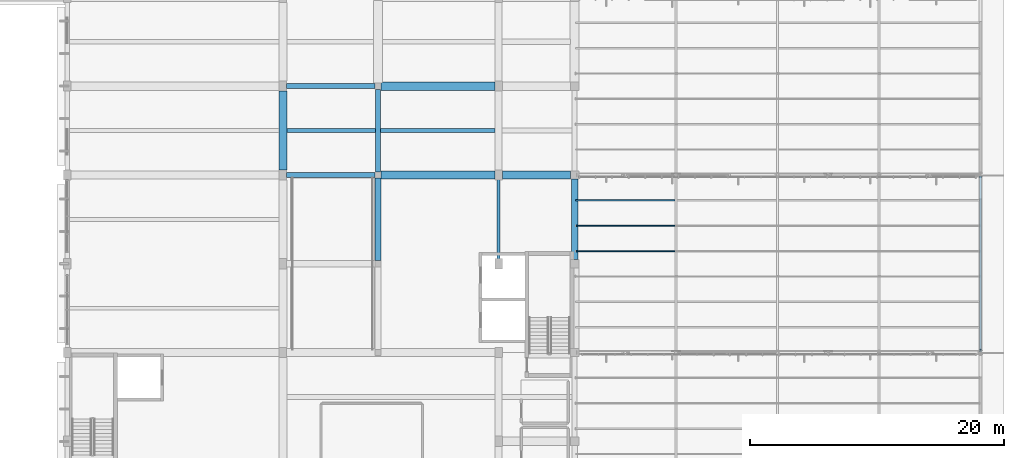
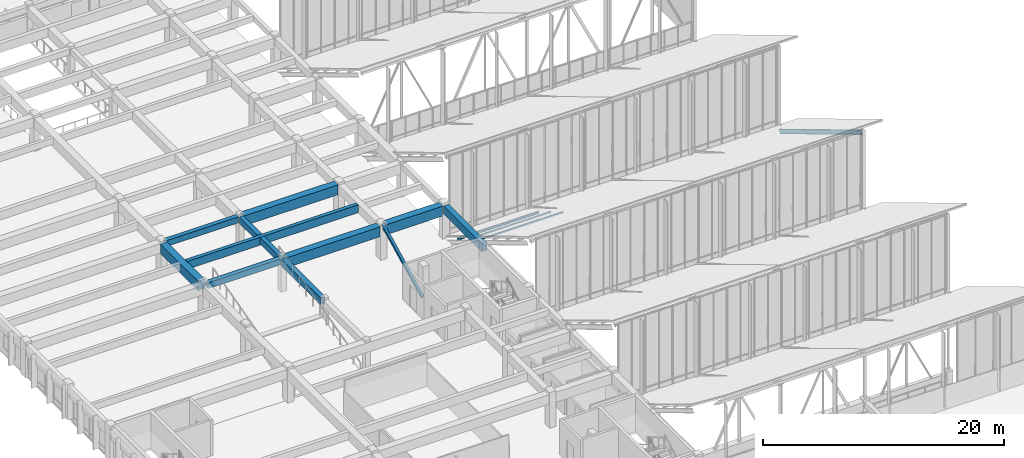
# One storey, part 49 of 155: 11 beams, 4 members.
"""IFC4 building model written with IfcOpenShell, lengths in metres."""

from ifc_helpers import new_model, si_unit, direction, frame, origin, origin_2d, place, context, subcontext, project, spatial, rectangle, hollow_rectangle, i_section, extrude, material, material_profile, profile_set, type_object, element, save


model = new_model("IFC4")

# Units and contexts
model_context = context("Model", 3, precision=1e-05, world=origin(), true_north=direction((0.0, 1.0)))
body_context = subcontext(model_context, "Body", "Model", "MODEL_VIEW")
ifc_project = project(units=[si_unit("LENGTHUNIT", "METRE"), si_unit("AREAUNIT", "SQUARE_METRE"), si_unit("VOLUMEUNIT", "CUBIC_METRE"), si_unit("PLANEANGLEUNIT", "RADIAN"), si_unit("MASSUNIT", "GRAM", prefix="KILO")], contexts=[model_context])

# Site, building, storey
site_placement = place(None, origin())
site = spatial("IfcSite", under=ifc_project, at=site_placement, CompositionType="ELEMENT")
building_placement = place(site_placement, origin())
building = spatial("IfcBuilding", under=site, at=building_placement, Name="Larkveld Mobility Hub", CompositionType="ELEMENT")
storey_placement = place(building_placement, frame((0.0, 0.0, 8.39990234375)))
storey = spatial("IfcBuildingStorey", under=building, at=storey_placement, Name="L02", CompositionType="ELEMENT", Elevation=8.39990234375)

# Beams
ifc_material_1 = material(Name="Precast concrete C50/60", Category="concrete")
ifc_material_profile_1 = material_profile(ifc_material_1, rectangle(XDim=0.340087890625, YDim=0.800048828125, at=origin_2d()), Name="PC DT 340x800")
ifc_profile_set_1 = profile_set([ifc_material_profile_1], Name="Precast concrete C50/60")
beam_type_1 = type_object("IfcBeamType", Name="BM-DT3480", PredefinedType="T_BEAM", material=ifc_profile_set_1)
beam_1_placement = place(storey_placement, frame((129.320068359375, 73.5, 2.97021484375), z_axis=(1.0, 0.0, 0.0), x_axis=(0.0, 1.0, 0.0)))
element("IfcBeam", 1, at=beam_1_placement, inside=storey, type_object=beam_type_1, Name="Precast Double-Tee Stem L02-1092", PredefinedType="T_BEAM", context=body_context, shape_type="SweptSolid", body=[
    extrude(rectangle(XDim=0.340087890625, YDim=0.800048828125, at=origin_2d()), origin(), (0.0, 0.0, 1.0), 16.409912109375),
])
ifc_material_profile_2 = material_profile(ifc_material_1, rectangle(XDim=0.64990234375, YDim=0.949951171875, at=origin_2d()), Name="PC ITB 650x950")
ifc_profile_set_2 = profile_set([ifc_material_profile_2], Name="Precast concrete C50/60")
beam_type_2 = type_object("IfcBeamType", Name="BM-ITB6595", PredefinedType="T_BEAM", material=ifc_profile_set_2)
beam_2_placement = place(storey_placement, frame((129.0, 70.39990234375, 2.885009765625), z_axis=(0.0, 1.0, 0.0), x_axis=(-1.0, 0.0, 0.0)))
element("IfcBeam", 2, at=beam_2_placement, inside=storey, type_object=beam_type_2, Name="Primary N-S Girder L02-0647", PredefinedType="T_BEAM", context=body_context, shape_type="SweptSolid", body=[
    extrude(rectangle(XDim=0.64990234375, YDim=0.949951171875, at=origin_2d()), origin(), (0.0, 0.0, 1.0), 6.2001953125),
])
ifc_material_2 = material(Name="Concrete C40/50", Category="concrete")
ifc_material_profile_3 = material_profile(ifc_material_2, rectangle(XDim=0.39990234375, YDim=0.60009765625, at=origin_2d()), Name="RC BM 400x600")
ifc_profile_set_3 = profile_set([ifc_material_profile_3], Name="Concrete C40/50")
beam_type_3 = type_object("IfcBeamType", Name="BM-RC4060", PredefinedType="BEAM", material=ifc_profile_set_3)
for number, where, z_axis, x_axis, name in (
    (3, (129.300048828125, 70.0, 3.06005859375), (1.0, 0.0, 0.0), (0.0, 1.0, 0.0), "Primary E-W Girder L02-0519"),
    (4, (129.300048828125, 77.0, 3.06005859375), (1.0, 0.0, 0.0), (0.0, 1.0, 0.0), "Primary E-W Girder L02-0523"),
):
    element("IfcBeam", number, at=place(storey_placement, frame(where, z_axis=z_axis, x_axis=x_axis)), inside=storey, type_object=beam_type_3, Name=name, PredefinedType="BEAM", context=body_context, shape_type="SweptSolid", body=[
        extrude(rectangle(XDim=0.39990234375, YDim=0.60009765625, at=origin_2d()), origin(), (0.0, 0.0, 1.0), 6.949951171875),
    ])
ifc_material_profile_4 = material_profile(ifc_material_2, rectangle(XDim=0.39990234375, YDim=0.64990234375, at=origin_2d()), Name="RC BM 400x650")
ifc_profile_set_4 = profile_set([ifc_material_profile_4], Name="Concrete C40/50")
beam_type_4 = type_object("IfcBeamType", Name="BM-RC4065", PredefinedType="BEAM", material=ifc_profile_set_4)
beam_3_placement = place(storey_placement, frame((136.5, 70.25, 3.03515625), z_axis=(0.0, 1.0, 0.0), x_axis=(-1.0, 0.0, 0.0)))
element("IfcBeam", 5, at=beam_3_placement, inside=storey, type_object=beam_type_4, Name="Primary N-S Girder L02-0655", PredefinedType="BEAM", context=body_context, shape_type="SweptSolid", body=[
    extrude(rectangle(XDim=0.39990234375, YDim=0.64990234375, at=origin_2d()), origin(), (0.0, 0.0, 1.0), 6.5),
])
ifc_material_profile_5 = material_profile(ifc_material_2, rectangle(XDim=0.449951171875, YDim=0.699951171875, at=origin_2d()), Name="RC BM 450x700")
ifc_profile_set_5 = profile_set([ifc_material_profile_5], Name="Concrete C40/50")
beam_type_5 = type_object("IfcBeamType", Name="BM-RC4570", PredefinedType="BEAM", material=ifc_profile_set_5)
beam_4_placement = place(storey_placement, frame((136.5, 63.25, 3.010009765625), z_axis=(0.0, 1.0, 0.0), x_axis=(-1.0, 0.0, 0.0)))
element("IfcBeam", 6, at=beam_4_placement, inside=storey, type_object=beam_type_5, Name="Ramp Edge Girder L02-0691", PredefinedType="BEAM", context=body_context, shape_type="SweptSolid", body=[
    extrude(rectangle(XDim=0.449951171875, YDim=0.699951171875, at=origin_2d()), origin(), (0.0, 0.0, 1.0), 6.5),
])
ifc_material_profile_6 = material_profile(ifc_material_2, rectangle(XDim=0.5, YDim=0.800048828125, at=origin_2d()), Name="RC BM 500x800")
ifc_profile_set_6 = profile_set([ifc_material_profile_6], Name="Concrete C40/50")
beam_type_6 = type_object("IfcBeamType", Name="BM-RC5080", PredefinedType="BEAM", material=ifc_profile_set_6)
beam_5_placement = place(storey_placement, frame((152.0, 63.324951171875, 2.960205078125), z_axis=(0.0, 1.0, 0.0), x_axis=(-1.0, 0.0, 0.0)))
element("IfcBeam", 7, at=beam_5_placement, inside=storey, type_object=beam_type_6, Name="Primary N-S Girder L02-0679", PredefinedType="BEAM", context=body_context, shape_type="SweptSolid", body=[
    extrude(rectangle(XDim=0.5, YDim=0.800048828125, at=origin_2d()), origin(), (0.0, 0.0, 1.0), 6.35009765625),
])
ifc_material_profile_7 = material_profile(ifc_material_2, rectangle(XDim=0.64990234375, YDim=1.0, at=origin_2d()), Name="RC BM 650x1000")
ifc_profile_set_7 = profile_set([ifc_material_profile_7], Name="Concrete C40/50")
beam_type_7 = type_object("IfcBeamType", Name="BM-RC65100", PredefinedType="BEAM", material=ifc_profile_set_7)
beam_6_placement = place(storey_placement, frame((136.75, 70.0, 2.860107421875), z_axis=(1.0, 0.0, 0.0), x_axis=(0.0, 1.0, 0.0)))
element("IfcBeam", 8, at=beam_6_placement, inside=storey, type_object=beam_type_7, Name="Primary E-W Girder L02-0520", PredefinedType="BEAM", context=body_context, shape_type="SweptSolid", body=[
    extrude(rectangle(XDim=0.64990234375, YDim=1.0, at=origin_2d()), origin(), (0.0, 0.0, 1.0), 8.949951171875),
])
beam_7_placement = place(storey_placement, frame((146.300048828125, 70.0, 2.860107421875), z_axis=(1.0, 0.0, 0.0), x_axis=(0.0, 1.0, 0.0)))
element("IfcBeam", 9, at=beam_7_placement, inside=storey, type_object=beam_type_7, Name="Primary E-W Girder L02-0521", PredefinedType="BEAM", context=body_context, shape_type="SweptSolid", body=[
    extrude(rectangle(XDim=0.64990234375, YDim=1.0, at=origin_2d()), origin(), (0.0, 0.0, 1.0), 5.375),
])
beam_8_placement = place(storey_placement, frame((136.75, 77.0, 2.860107421875), z_axis=(1.0, 0.0, 0.0), x_axis=(0.0, 1.0, 0.0)))
element("IfcBeam", 10, at=beam_8_placement, inside=storey, type_object=beam_type_7, Name="Primary E-W Girder L02-0524", PredefinedType="BEAM", context=body_context, shape_type="SweptSolid", body=[
    extrude(rectangle(XDim=0.64990234375, YDim=1.0, at=origin_2d()), origin(), (0.0, 0.0, 1.0), 8.949951171875),
])
ifc_material_3 = material(Name="Steel S355JR", Category="steel")
ifc_material_profile_8 = material_profile(ifc_material_3, i_section(OverallWidth=0.179931640625, OverallDepth=0.39990234375, WebThickness=0.008544921875, FlangeThickness=0.013427734375, FilletRadius=0.02099609375, at=origin_2d()), Name="IPE 400")
ifc_profile_set_8 = profile_set([ifc_material_profile_8], Name="Steel S355JR")
beam_type_8 = type_object("IfcBeamType", Name="BM-STIPE400", PredefinedType="BEAM", material=ifc_profile_set_8)
beam_9_placement = place(storey_placement, frame((184.0, 56.179931640625, 7.708984375), z_axis=(0.0, 0.85749969687, -0.514484469998), x_axis=(-1.0, 0.0, 0.0)))
element("IfcBeam", 11, at=beam_9_placement, inside=storey, type_object=beam_type_8, Name="ROOF TRUSS Sawtooth Edge Rafter B3-184", PredefinedType="BEAM", context=body_context, shape_type="SweptSolid", body=[
    extrude(i_section(OverallWidth=0.179931640625, OverallDepth=0.39990234375, WebThickness=0.008544921875, FlangeThickness=0.013427734375, FilletRadius=0.02099609375, at=origin_2d()), origin(), (0.0, 0.0, 1.0), 15.906982421875),
])

# Members
ifc_material_profile_9 = material_profile(ifc_material_3, i_section(OverallWidth=0.239990234375, OverallDepth=0.239990234375, WebThickness=0.010009765625, FlangeThickness=0.01708984375, FilletRadius=0.02099609375, at=origin_2d()), Name="HEB 240")
ifc_profile_set_9 = profile_set([ifc_material_profile_9], Name="Steel S355JR")
member_type_1 = type_object("IfcMemberType", Name="MB-BR-HEB240", PredefinedType="BRACE", material=ifc_profile_set_9)
member_1_placement = place(storey_placement, frame((146.0, 63.179931640625, 0.10009765625), z_axis=(0.0, 0.892806310652, 0.450440774864), x_axis=(-1.0, 0.0, 0.0)))
element("IfcMember", 12, at=member_1_placement, inside=storey, type_object=member_type_1, Name="Lateral Diagonal Brace LB-05", PredefinedType="BRACE", context=body_context, shape_type="SweptSolid", body=[
    extrude(i_section(OverallWidth=0.239990234375, OverallDepth=0.239990234375, WebThickness=0.010009765625, FlangeThickness=0.01708984375, FilletRadius=0.02099609375, at=origin_2d()), origin(), (0.0, 0.0, 1.0), 7.437255859375),
])
ifc_material_profile_10 = material_profile(ifc_material_3, i_section(OverallWidth=0.1201171875, OverallDepth=0.239990234375, WebThickness=0.006103515625, FlangeThickness=0.009765625, FilletRadius=0.014892578125, at=origin_2d()), Name="IPE 240")
ifc_profile_set_10 = profile_set([ifc_material_profile_10], Name="Steel S355JR")
member_type_2 = type_object("IfcMemberType", Name="MB-PR-IPE240", PredefinedType="PURLIN", material=ifc_profile_set_10)
member_2_placement = place(storey_placement, frame((152.080078125, 68.0, 0.88720703125), z_axis=(1.0, 0.0, 0.0), x_axis=(0.0, 1.0, 0.0)))
element("IfcMember", 13, at=member_2_placement, inside=storey, type_object=member_type_2, Name="Sawtooth Roof Purlin B3-6.1", PredefinedType="PURLIN", context=body_context, shape_type="SweptSolid", body=[
    extrude(i_section(OverallWidth=0.1201171875, OverallDepth=0.239990234375, WebThickness=0.006103515625, FlangeThickness=0.009765625, FilletRadius=0.014892578125, at=origin_2d()), origin(), (0.0, 0.0, 1.0), 7.83984375),
])
ifc_material_profile_11 = material_profile(ifc_material_3, hollow_rectangle(XDim=0.070068359375, YDim=0.139892578125, WallThickness=0.00634765625, at=origin_2d()), Name="RHS 140x70x6.3")
ifc_profile_set_11 = profile_set([ifc_material_profile_11], Name="Steel S355JR")
member_type_3 = type_object("IfcMemberType", Name="MB-PR-RHS140", PredefinedType="PURLIN", material=ifc_profile_set_11)
member_3_placement = place(storey_placement, frame((152.080078125, 66.0, 2.13720703125), z_axis=(1.0, 0.0, 0.0), x_axis=(0.0, 1.0, 0.0)))
element("IfcMember", 14, at=member_3_placement, inside=storey, type_object=member_type_3, Name="Sawtooth Roof Purlin B3-5.1", PredefinedType="PURLIN", context=body_context, shape_type="SweptSolid", body=[
    extrude(hollow_rectangle(XDim=0.070068359375, YDim=0.139892578125, WallThickness=0.00634765625, at=origin_2d()), origin(), (0.0, 0.0, 1.0), 7.83984375),
])
ifc_material_profile_12 = material_profile(ifc_material_3, hollow_rectangle(XDim=0.080078125, YDim=0.159912109375, WallThickness=0.008056640625, at=origin_2d()), Name="RHS 160x80x8")
ifc_profile_set_12 = profile_set([ifc_material_profile_12], Name="Steel S355JR")
member_type_4 = type_object("IfcMemberType", Name="MB-PR-RHS160", PredefinedType="PURLIN", material=ifc_profile_set_12)
member_4_placement = place(storey_placement, frame((152.080078125, 64.0, 3.3271484375), z_axis=(1.0, 0.0, 0.0), x_axis=(0.0, 1.0, 0.0)))
element("IfcMember", 15, at=member_4_placement, inside=storey, type_object=member_type_4, Name="Sawtooth Roof Purlin B3-4.1", PredefinedType="PURLIN", context=body_context, shape_type="SweptSolid", body=[
    extrude(hollow_rectangle(XDim=0.080078125, YDim=0.159912109375, WallThickness=0.008056640625, at=origin_2d()), origin(), (0.0, 0.0, 1.0), 7.83984375),
])

save(model, "model.ifc")
